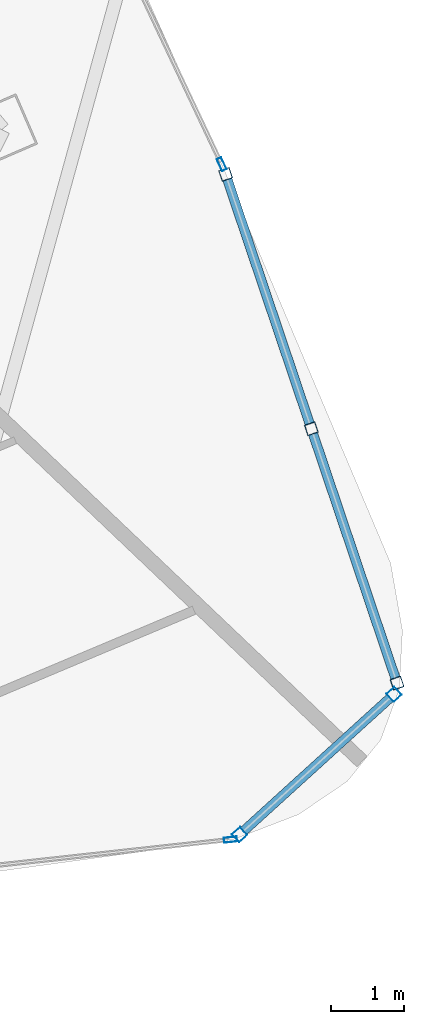
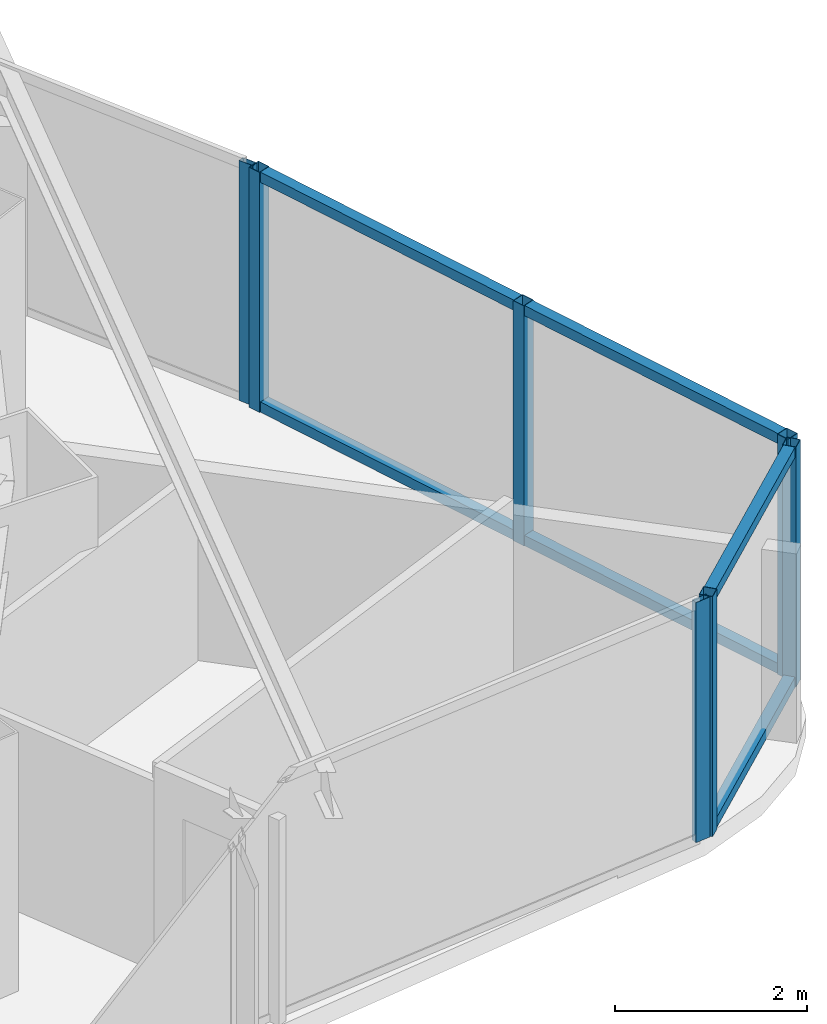
# One storey, part 13 of 31: 13 members, 4 elements without a shape of their own.
"""IFC4 building model written with IfcOpenShell, lengths in metres."""

import ifcopenshell
import ifcopenshell.guid

model = None  # the IFC model being written
_history = None  # IfcOwnerHistory: only IFC2X3 demands one
_inside = {}  # id of a spatial element -> (the spatial element, [elements in it])
_under = {}  # id of a project, library or spatial element -> (it, [spatial elements below it])
_declared = {}  # id of a project -> (the project, [libraries it declares])
_typed = {}  # id of a type object -> (the type object, [elements of that type])
_made_of = {}  # id of a material, layer set ... -> (it, [elements and type objects made of it])


def new_model(schema):
    """Start an empty IFC model of exactly this schema.

    Asked for "IFC4X3", IfcOpenShell would pick the latest addendum, in which some entities
    have other attributes; the version numbers below select the first issue.
    IFC2X3 requires an IfcOwnerHistory on every rooted entity: one is made here for all.
    """
    global model, _history
    if schema == "IFC4X3":
        model = ifcopenshell.file(schema_version=(4, 3, 0, 0))
    else:
        model = ifcopenshell.file(schema=schema)
    _inside.clear()
    _under.clear()
    _declared.clear()
    _typed.clear()
    _made_of.clear()
    _history = None
    if model.schema == "IFC2X3":
        org = make("IfcOrganization", Name="unknown")
        user = make(
            "IfcPersonAndOrganization",
            ThePerson=make("IfcPerson", FamilyName="unknown"),
            TheOrganization=org,
        )
        app = make(
            "IfcApplication",
            ApplicationDeveloper=org,
            Version="unknown",
            ApplicationFullName="unknown",
            ApplicationIdentifier="unknown",
        )
        _history = make(
            "IfcOwnerHistory",
            OwningUser=user,
            OwningApplication=app,
            ChangeAction="ADDED",
            CreationDate=0,
        )
    return model


def make(cls, **values):
    """One entity of the class cls with the attributes given. An attribute that is None is left unset."""
    return model.create_entity(
        cls, **{name: value for name, value in values.items() if value is not None}
    )


def rooted(cls, **values):
    """An entity with a GlobalId (a new one), such as an element, a storey or a relation."""
    return make(cls, GlobalId=ifcopenshell.guid.new(), OwnerHistory=_history, **values)


def si_unit(unit_type, name, prefix=None):
    """IfcSIUnit, for example si_unit("LENGTHUNIT", "METRE", prefix="MILLI")."""
    return make("IfcSIUnit", UnitType=unit_type, Prefix=prefix, Name=name)


def assignment(units):
    """IfcUnitAssignment: the units of a project."""
    return None if units is None else make("IfcUnitAssignment", Units=units)


def point(xyz):
    """IfcCartesianPoint."""
    return None if xyz is None else make("IfcCartesianPoint", Coordinates=xyz)


def direction(xyz):
    """IfcDirection."""
    return None if xyz is None else make("IfcDirection", DirectionRatios=xyz)


def frame(location, z_axis=None, x_axis=None):
    """IfcAxis2Placement3D, a coordinate frame: its origin and axes. An axis left out is left unset."""
    return make(
        "IfcAxis2Placement3D",
        Location=point(location),
        Axis=direction(z_axis),
        RefDirection=direction(x_axis),
    )


def frame_2d(location, x_axis=None):
    """IfcAxis2Placement2D, a coordinate frame in the plane: its origin and x axis."""
    return make(
        "IfcAxis2Placement2D", Location=point(location), RefDirection=direction(x_axis)
    )


def origin():
    """The frame at (0, 0, 0) with its axes left unset."""
    return frame((0.0, 0.0, 0.0))


def origin_2d():
    """The frame at (0, 0) in the plane with its x axis left unset."""
    return frame_2d((0.0, 0.0))


def place(relative_to, where):
    """IfcLocalPlacement: puts the frame where relative to a parent placement (None: the world)."""
    return make(
        "IfcLocalPlacement", PlacementRelTo=relative_to, RelativePlacement=where
    )


def context(
    kind, dimensions, precision=None, world=None, true_north=None, identifier=None
):
    """IfcGeometricRepresentationContext, for example the 3D "Model" context."""
    return make(
        "IfcGeometricRepresentationContext",
        ContextIdentifier=identifier,
        ContextType=kind,
        CoordinateSpaceDimension=dimensions,
        Precision=precision,
        WorldCoordinateSystem=world,
        TrueNorth=true_north,
    )


def subcontext(parent, identifier, kind, view, scale=None):
    """IfcGeometricRepresentationSubContext, for example "Body" below "Model"."""
    return make(
        "IfcGeometricRepresentationSubContext",
        ContextIdentifier=identifier,
        ContextType=kind,
        ParentContext=parent,
        TargetScale=scale,
        TargetView=view,
    )


def project(units=None, contexts=None):
    """IfcProject with its units and contexts."""
    return rooted(
        "IfcProject",
        Name="project",
        RepresentationContexts=contexts,
        UnitsInContext=assignment(units),
    )


def spatial(cls, under=None, at=None, **own):
    """A site, building, storey or space (cls), placed at a placement, below another one or the project."""
    s = rooted(cls, ObjectPlacement=at, **own)
    if under is not None:
        _under.setdefault(under.id(), (under, []))[1].append(s)
    return s


def profile(cls, at=None, kind="AREA", **sizes):
    """A parametric profile (cls). Its sizes go by their IFC names, for example OverallWidth=200.0."""
    return make(cls, ProfileType=kind, Position=at, **sizes)


def hollow_rectangle(**sizes):
    """IfcRectangleHollowProfileDef."""
    return profile("IfcRectangleHollowProfileDef", **sizes)


def extrude(swept, where, along, depth):
    """IfcExtrudedAreaSolid: the profile swept, set in the frame where, extruded along a direction by depth."""
    return make(
        "IfcExtrudedAreaSolid",
        SweptArea=swept,
        Position=where,
        ExtrudedDirection=direction(along),
        Depth=depth,
    )


def shape(context_of_items, identifier, shape_type, items):
    """IfcShapeRepresentation: the items that make up one representation, for example the "Body"."""
    return make(
        "IfcShapeRepresentation",
        ContextOfItems=context_of_items,
        RepresentationIdentifier=identifier,
        RepresentationType=shape_type,
        Items=items,
    )


def material(Name=None, Category=None):
    """IfcMaterial."""
    return make("IfcMaterial", Name=Name, Category=Category)


def layer(
    of_material, thickness, ventilated=None, Name=None, Category=None, Priority=None
):
    """IfcMaterialLayer: one layer of a wall or slab, of a material (None: an air gap)."""
    return make(
        "IfcMaterialLayer",
        Material=of_material,
        LayerThickness=thickness,
        IsVentilated=ventilated,
        Name=Name,
        Category=Category,
        Priority=Priority,
    )


def layer_set(layers, Name=None):
    """IfcMaterialLayerSet."""
    return make("IfcMaterialLayerSet", MaterialLayers=layers, LayerSetName=Name)


def material_profile(
    of_material, cross_section, Name=None, Category=None, Priority=None
):
    """IfcMaterialProfile: a cross section and its material."""
    return make(
        "IfcMaterialProfile",
        Name=Name,
        Material=of_material,
        Profile=cross_section,
        Priority=Priority,
        Category=Category,
    )


def profile_set(profiles, Name=None, composite=None):
    """IfcMaterialProfileSet."""
    return make(
        "IfcMaterialProfileSet",
        Name=Name,
        MaterialProfiles=profiles,
        CompositeProfile=composite,
    )


def made_of(thing, what):
    """Note that an element or type object is made of a material, layer set ...; save() writes the relation."""
    if what is not None:
        _made_of.setdefault(what.id(), (what, []))[1].append(thing)
    return thing


def type_object(cls, material=None, **own):
    """A type object (cls), such as IfcWallType, which elements share."""
    return made_of(rooted(cls, **own), material)


def element(
    cls,
    number,
    at=None,
    inside=None,
    cuts=None,
    type_object=None,
    material=None,
    context=None,
    identifier="Body",
    shape_type=None,
    held_by="IfcProductDefinitionShape",
    body=None,
    shapes=None,
    **own,
):
    """One element of the class cls, such as IfcWall. Its Tag is "e" and its number.

    at: its placement. inside: the storey or other place that contains it. cuts: it is an
    opening in that element (IfcRelVoidsElement). A single representation is given by context,
    identifier, shape_type and body (its items); several are given by shapes. held_by: the class
    of the entity that holds the representations. save() writes the other relations.
    """
    e = rooted(cls, Tag="e%d" % number, ObjectPlacement=at, **own)
    if body is not None:
        shapes = [shape(context, identifier, shape_type, body)]
    if shapes is not None:
        e.Representation = make(held_by, Representations=shapes)
    if inside is not None:
        _inside.setdefault(inside.id(), (inside, []))[1].append(e)
    if cuts is not None:
        rooted(
            "IfcRelVoidsElement", RelatingBuildingElement=cuts, RelatedOpeningElement=e
        )
    if type_object is not None:
        _typed.setdefault(type_object.id(), (type_object, []))[1].append(e)
    return made_of(e, material)


def aggregate(whole, parts):
    """IfcRelAggregates: a whole, such as a stair, and the parts it consists of."""
    return rooted("IfcRelAggregates", RelatingObject=whole, RelatedObjects=parts)


def save(model, path):
    """Write the relations noted so far, then the file.

    IfcRelAggregates (storeys below a building ...), IfcRelContainedInSpatialStructure (elements
    in a storey), IfcRelDefinesByType, IfcRelAssociatesMaterial and IfcRelDeclares: one each for
    every whole, place, type object, material and project.
    """
    for whole, parts in _under.values():
        aggregate(whole, parts)
    for where, things in _inside.values():
        rooted(
            "IfcRelContainedInSpatialStructure",
            RelatedElements=things,
            RelatingStructure=where,
        )
    for kind, things in _typed.values():
        rooted("IfcRelDefinesByType", RelatedObjects=things, RelatingType=kind)
    for what, things in _made_of.values():
        rooted("IfcRelAssociatesMaterial", RelatedObjects=things, RelatingMaterial=what)
    for by, libraries in _declared.values():
        rooted("IfcRelDeclares", RelatingContext=by, RelatedDefinitions=libraries)
    model.write(path)


model = new_model("IFC4")

# Units and contexts
model_context = context("Model", 3, precision=1e-05, world=origin(), true_north=direction((0.0, 1.0)))
body_context = subcontext(model_context, "Body", "Model", "MODEL_VIEW")
ifc_project = project(units=[si_unit("LENGTHUNIT", "METRE"), si_unit("AREAUNIT", "SQUARE_METRE"), si_unit("VOLUMEUNIT", "CUBIC_METRE"), si_unit("PLANEANGLEUNIT", "RADIAN"), si_unit("MASSUNIT", "GRAM", prefix="KILO")], contexts=[model_context])

# Site, building, storey
site_placement = place(None, origin())
site = spatial("IfcSite", under=ifc_project, at=site_placement, CompositionType="ELEMENT")
building_placement = place(site_placement, origin())
building = spatial("IfcBuilding", under=site, at=building_placement, Name="Orvanel Arch Residences", CompositionType="ELEMENT")
storey_placement = place(building_placement, frame((0.0, 0.0, 110.0)))
storey = spatial("IfcBuildingStorey", under=building, at=storey_placement, Name="L30", CompositionType="ELEMENT", Elevation=110.0)

# Curtain wall, members
ifc_material = material(Name="Bronze-anodised aluminium AA6063-T6", Category="aluminium")
ifc_layer_1 = layer(ifc_material, 0.18994140625)
ifc_layer_set_1 = layer_set([ifc_layer_1], Name="Bronze-anodised aluminium AA6063-T6")
curtain_wall_type_1 = type_object("IfcCurtainWallType", Name="CW5-CRN-SYS", PredefinedType="NOTDEFINED", material=ifc_layer_set_1)
curtain_wall_1_placement = place(storey_placement, origin())
curtain_wall_1 = element("IfcCurtainWall", 1, at=curtain_wall_1_placement, inside=storey, type_object=curtain_wall_type_1, Name="L30 CW5-CRN-SYS Unitised Curtain Wall", PredefinedType="NOTDEFINED")
ifc_material_profile_1 = material_profile(ifc_material, hollow_rectangle(XDim=0.14990234375, YDim=0.14990234375, WallThickness=0.0048828125, at=origin_2d()), Name="ALU150x150x5")
ifc_profile_set_1 = profile_set([ifc_material_profile_1], Name="Bronze-anodised aluminium AA6063-T6")
member_type_1 = type_object("IfcMemberType", Name="MUL-150x150", PredefinedType="MULLION", material=ifc_profile_set_1)
member_1_placement = place(storey_placement, frame((57.16455078125, 4.926513671875, 0.0), z_axis=(0.0, 0.0, 1.0), x_axis=(-0.672374817042, 0.740210851993, 0.0)))
member_1 = element("IfcMember", 2, at=member_1_placement, type_object=member_type_1, Name="CW-S5 mullion 1", PredefinedType="MULLION", context=body_context, shape_type="SweptSolid", body=[
    extrude(hollow_rectangle(XDim=0.14990234375, YDim=0.14990234375, WallThickness=0.0048828125, at=origin_2d()), origin(), (0.0, 0.0, 1.0), 3.06005859375),
])
member_2_placement = place(storey_placement, frame((59.279541015625, 6.84765625, 0.0), z_axis=(0.0, 0.0, 1.0), x_axis=(-0.672374817042, 0.740210851993, 0.0)))
member_2 = element("IfcMember", 3, at=member_2_placement, type_object=member_type_1, Name="CW-S5 mullion 2", PredefinedType="MULLION", context=body_context, shape_type="SweptSolid", body=[
    extrude(hollow_rectangle(XDim=0.14990234375, YDim=0.14990234375, WallThickness=0.0048828125, at=origin_2d()), origin(), (0.0, 0.0, 1.0), 3.06005859375),
])

curtain_wall_2_placement = place(storey_placement, origin())
curtain_wall_2 = element("IfcCurtainWall", 4, at=curtain_wall_2_placement, inside=storey, type_object=curtain_wall_type_1, Name="L30 CW5-CRN-SYS Unitised Curtain Wall", PredefinedType="NOTDEFINED")
member_3_placement = place(storey_placement, frame((59.320068359375, 7.0009765625, 0.0), z_axis=(0.0, 0.0, 1.0), x_axis=(-0.947624973099, -0.319385206856, 0.0)))
member_3 = element("IfcMember", 5, at=member_3_placement, type_object=member_type_1, Name="CW-S5 mullion 1", PredefinedType="MULLION", context=body_context, shape_type="SweptSolid", body=[
    extrude(hollow_rectangle(XDim=0.14990234375, YDim=0.14990234375, WallThickness=0.0048828125, at=origin_2d()), origin(), (0.0, 0.0, 1.0), 3.06005859375),
])
member_4_placement = place(storey_placement, frame((58.14599609375, 10.484619140625, 0.0), z_axis=(0.0, 0.0, 1.0), x_axis=(-0.947624973099, -0.319385206856, 0.0)))
member_4 = element("IfcMember", 6, at=member_4_placement, type_object=member_type_1, Name="CW-S5 mullion 2", PredefinedType="MULLION", context=body_context, shape_type="SweptSolid", body=[
    extrude(hollow_rectangle(XDim=0.14990234375, YDim=0.14990234375, WallThickness=0.0048828125, at=origin_2d()), origin(), (0.0, 0.0, 1.0), 3.06005859375),
])
member_5_placement = place(storey_placement, frame((56.971923828125, 13.968017578125, 0.0), z_axis=(0.0, 0.0, 1.0), x_axis=(-0.947624973099, -0.319385206856, 0.0)))
member_5 = element("IfcMember", 7, at=member_5_placement, type_object=member_type_1, Name="CW-S5 mullion 3", PredefinedType="MULLION", context=body_context, shape_type="SweptSolid", body=[
    extrude(hollow_rectangle(XDim=0.14990234375, YDim=0.14990234375, WallThickness=0.0048828125, at=origin_2d()), origin(), (0.0, 0.0, 1.0), 3.06005859375),
])

# Curtain wall, member
ifc_layer_2 = layer(ifc_material, 0.179931640625)
ifc_layer_set_2 = layer_set([ifc_layer_2], Name="Bronze-anodised aluminium AA6063-T6")
curtain_wall_type_2 = type_object("IfcCurtainWallType", Name="CW3-MID-SYS", PredefinedType="NOTDEFINED", material=ifc_layer_set_2)
curtain_wall_3_placement = place(storey_placement, origin())
curtain_wall_3 = element("IfcCurtainWall", 8, at=curtain_wall_3_placement, inside=storey, type_object=curtain_wall_type_2, Name="L30 CW3-MID-SYS Unitised Curtain Wall", PredefinedType="NOTDEFINED")
ifc_material_profile_2 = material_profile(ifc_material, hollow_rectangle(XDim=0.070068359375, YDim=0.179931640625, WallThickness=0.00439453125, at=origin_2d()), Name="ALU180x70x4.5")
ifc_profile_set_2 = profile_set([ifc_material_profile_2], Name="Bronze-anodised aluminium AA6063-T6")
member_type_2 = type_object("IfcMemberType", Name="MUL-180x70", PredefinedType="MULLION", material=ifc_profile_set_2)
member_6_placement = place(storey_placement, frame((57.039306640625, 4.857177734375, 0.0), z_axis=(0.0, 0.0, 1.0), x_axis=(-0.109154736008, 0.994024770117, 0.0)))
member_6 = element("IfcMember", 9, at=member_6_placement, type_object=member_type_2, Name="CW-S3 mullion 4", PredefinedType="MULLION", context=body_context, shape_type="SweptSolid", body=[
    extrude(hollow_rectangle(XDim=0.070068359375, YDim=0.179931640625, WallThickness=0.00439453125, at=origin_2d()), origin(), (0.0, 0.0, 1.0), 3.06005859375),
])
aggregate(curtain_wall_3, [member_6])

curtain_wall_4_placement = place(storey_placement, origin())
curtain_wall_4 = element("IfcCurtainWall", 10, at=curtain_wall_4_placement, inside=storey, type_object=curtain_wall_type_2, Name="L30 CW3-MID-SYS Unitised Curtain Wall", PredefinedType="NOTDEFINED")
member_7_placement = place(storey_placement, frame((56.91796875, 14.107666015625, 0.0), z_axis=(0.0, 0.0, 1.0), x_axis=(-0.904427848168, -0.42662661363, 0.0)))
member_7 = element("IfcMember", 11, at=member_7_placement, type_object=member_type_2, Name="CW-S3 mullion 1", PredefinedType="MULLION", context=body_context, shape_type="SweptSolid", body=[
    extrude(hollow_rectangle(XDim=0.070068359375, YDim=0.179931640625, WallThickness=0.00439453125, at=origin_2d()), origin(), (0.0, 0.0, 1.0), 3.06005859375),
])
aggregate(curtain_wall_4, [member_7])

# Member
ifc_material_profile_3 = material_profile(ifc_material, hollow_rectangle(XDim=0.1298828125, YDim=0.1298828125, WallThickness=0.00439453125, at=origin_2d()), Name="ALU130x130x4.5")
ifc_profile_set_3 = profile_set([ifc_material_profile_3], Name="Bronze-anodised aluminium AA6063-T6")
member_type_3 = type_object("IfcMemberType", Name="TRN-130x130", PredefinedType="USERDEFINED", material=ifc_profile_set_3)
member_8_placement = place(storey_placement, frame((57.219970703125, 4.976806640625, 0.06494140625), z_axis=(0.7402011737, 0.672385471626, 0.0), x_axis=(-0.672385471626, 0.7402011737, 0.0)))
member_8 = element("IfcMember", 12, at=member_8_placement, type_object=member_type_3, Name="CW-S5 transom 1.1", ObjectType="TRANSOM", PredefinedType="USERDEFINED", context=body_context, shape_type="SweptSolid", body=[
    extrude(hollow_rectangle(XDim=0.1298828125, YDim=0.1298828125, WallThickness=0.00439453125, at=origin_2d()), origin(), (0.0, 0.0, 1.0), 2.707275390625),
])

member_9_placement = place(storey_placement, frame((57.219970703125, 4.976806640625, 2.9951171875), z_axis=(0.7402011737, 0.672385471626, 0.0), x_axis=(-0.672385471626, 0.7402011737, 0.0)))
member_9 = element("IfcMember", 13, at=member_9_placement, type_object=member_type_3, Name="CW-S5 transom 1.2", ObjectType="TRANSOM", PredefinedType="USERDEFINED", context=body_context, shape_type="SweptSolid", body=[
    extrude(hollow_rectangle(XDim=0.1298828125, YDim=0.1298828125, WallThickness=0.00439453125, at=origin_2d()), origin(), (0.0, 0.0, 1.0), 2.707275390625),
])

aggregate(curtain_wall_1, [member_1, member_2, member_8, member_9])

member_10_placement = place(storey_placement, frame((59.296142578125, 7.072265625, 0.06494140625), z_axis=(-0.319425065817, 0.947611538199, 0.0), x_axis=(-0.947611538199, -0.319425065817, 0.0)))
member_10 = element("IfcMember", 14, at=member_10_placement, type_object=member_type_3, Name="CW-S5 transom 1.1", ObjectType="TRANSOM", PredefinedType="USERDEFINED", context=body_context, shape_type="SweptSolid", body=[
    extrude(hollow_rectangle(XDim=0.1298828125, YDim=0.1298828125, WallThickness=0.00439453125, at=origin_2d()), origin(), (0.0, 0.0, 1.0), 3.52587890625),
])

member_11_placement = place(storey_placement, frame((59.296142578125, 7.072265625, 2.9951171875), z_axis=(-0.319425065817, 0.947611538199, 0.0), x_axis=(-0.947611538199, -0.319425065817, 0.0)))
member_11 = element("IfcMember", 15, at=member_11_placement, type_object=member_type_3, Name="CW-S5 transom 1.2", ObjectType="TRANSOM", PredefinedType="USERDEFINED", context=body_context, shape_type="SweptSolid", body=[
    extrude(hollow_rectangle(XDim=0.1298828125, YDim=0.1298828125, WallThickness=0.00439453125, at=origin_2d()), origin(), (0.0, 0.0, 1.0), 3.52587890625),
])

member_12_placement = place(storey_placement, frame((58.1220703125, 10.5556640625, 0.06494140625), z_axis=(-0.319404107424, 0.947618602688, 0.0), x_axis=(-0.947618602688, -0.319404107424, 0.0)))
member_12 = element("IfcMember", 16, at=member_12_placement, type_object=member_type_3, Name="CW-S5 transom 2.1", ObjectType="TRANSOM", PredefinedType="USERDEFINED", context=body_context, shape_type="SweptSolid", body=[
    extrude(hollow_rectangle(XDim=0.1298828125, YDim=0.1298828125, WallThickness=0.00439453125, at=origin_2d()), origin(), (0.0, 0.0, 1.0), 3.526123046875),
])

member_13_placement = place(storey_placement, frame((58.1220703125, 10.5556640625, 2.9951171875), z_axis=(-0.319404107424, 0.947618602688, 0.0), x_axis=(-0.947618602688, -0.319404107424, 0.0)))
member_13 = element("IfcMember", 17, at=member_13_placement, type_object=member_type_3, Name="CW-S5 transom 2.2", ObjectType="TRANSOM", PredefinedType="USERDEFINED", context=body_context, shape_type="SweptSolid", body=[
    extrude(hollow_rectangle(XDim=0.1298828125, YDim=0.1298828125, WallThickness=0.00439453125, at=origin_2d()), origin(), (0.0, 0.0, 1.0), 3.526123046875),
])

aggregate(curtain_wall_2, [member_3, member_4, member_5, member_10, member_11, member_12, member_13])

save(model, "model.ifc")
